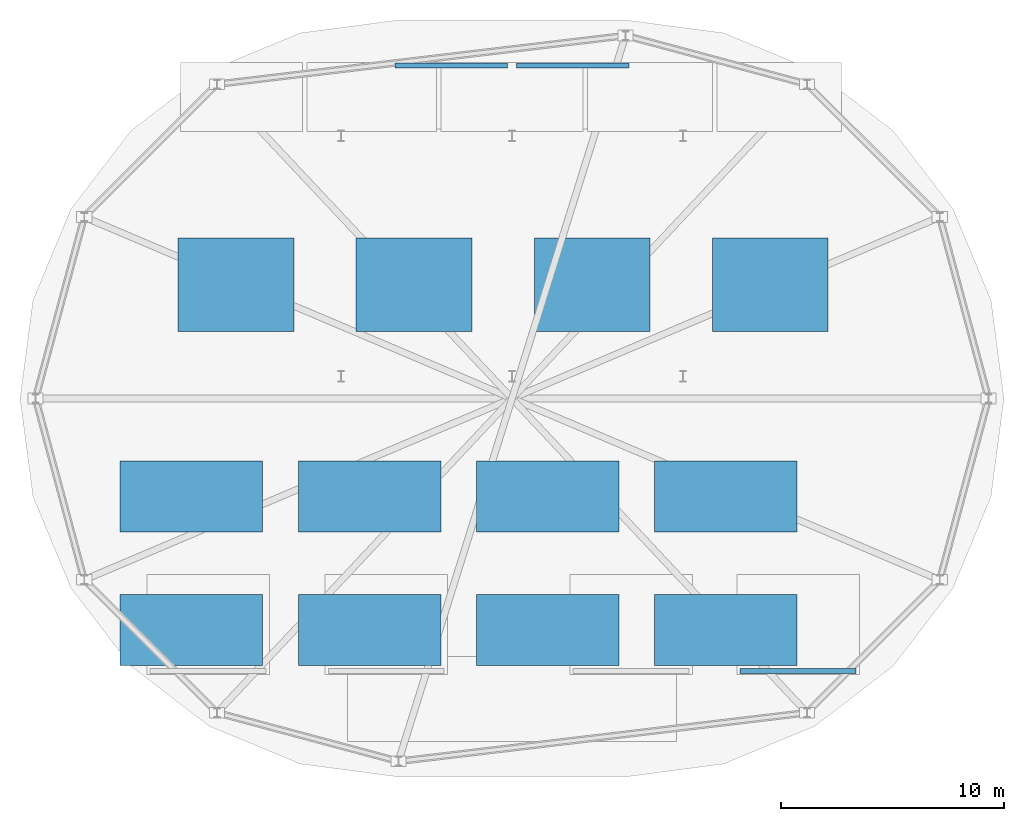
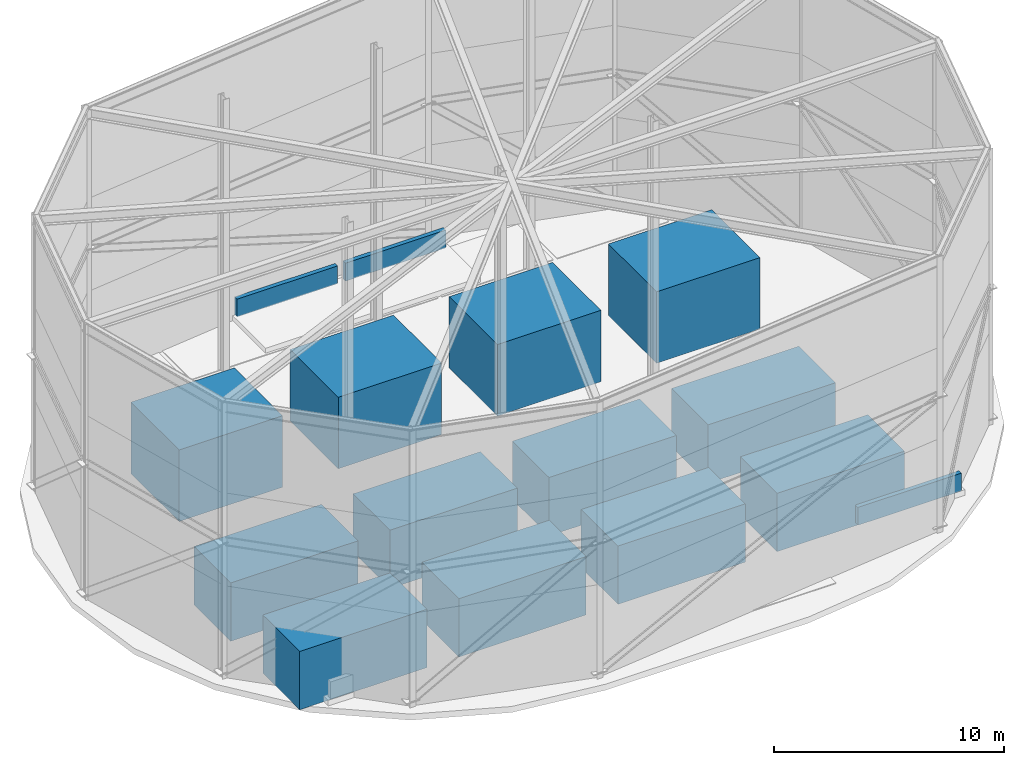
# One storey, part 4 of 5: 12 discrete accessories, 3 walls.
"""IFC4 building model written with IfcOpenShell, lengths in metres."""

from ifc_helpers import new_model, si_unit, direction, frame, frame_2d, origin, origin_2d, place, context, subcontext, project, spatial, rectangle, extrude, material, layer, layer_set, type_object, element, save


model = new_model("IFC4")

# Units and contexts
model_context = context("Model", 3, precision=1e-05, world=origin(), true_north=direction((0.0, 1.0)))
body_context = subcontext(model_context, "Body", "Model", "MODEL_VIEW")
ifc_project = project(units=[si_unit("LENGTHUNIT", "METRE"), si_unit("AREAUNIT", "SQUARE_METRE"), si_unit("VOLUMEUNIT", "CUBIC_METRE"), si_unit("PLANEANGLEUNIT", "RADIAN"), si_unit("MASSUNIT", "GRAM", prefix="KILO")], contexts=[model_context])

# Site, building, storey
site_placement = place(None, origin())
site = spatial("IfcSite", under=ifc_project, at=site_placement, CompositionType="ELEMENT")
building_placement = place(site_placement, origin())
building = spatial("IfcBuilding", under=site, at=building_placement, Name="Yelkora Congress Tower", CompositionType="ELEMENT")
storey_placement = place(building_placement, frame((0.0, 0.0, 310.0)))
storey = spatial("IfcBuildingStorey", under=building, at=storey_placement, Name="Roof", CompositionType="ELEMENT", Elevation=310.0)

# Walls
ifc_material_1 = material(Name="Concrete C40/50", Category="concrete")
ifc_layer_1 = layer(ifc_material_1, 0.219970703125)
ifc_layer_set_1 = layer_set([ifc_layer_1], Name="Concrete C40/50")
wall_type = type_object("IfcWallType", Name="WALL-PARAPET-220", PredefinedType="PARAPET", material=ifc_layer_set_1)
wall_1_placement = place(storey_placement, frame((48.64990234375, 22.14990234375, 0.25), z_axis=(0.0, 0.0, 1.0), x_axis=(1.0, 0.0, 0.0)))
element("IfcWall", 1, at=wall_1_placement, inside=storey, type_object=wall_type, Name="Crown Roof Acoustic Parapet 4", PredefinedType="PARAPET", context=body_context, shape_type="SweptSolid", body=[
    extrude(rectangle(XDim=5.2001953125, YDim=0.219970703125, at=frame_2d((2.60009765625, 0.0))), origin(), (0.0, 0.0, 1.0), 0.949951171875),
])
wall_2_placement = place(storey_placement, frame((33.14990234375, 49.35009765625, 0.25), z_axis=(0.0, 0.0, 1.0), x_axis=(1.0, 0.0, 0.0)))
element("IfcWall", 2, at=wall_2_placement, inside=storey, type_object=wall_type, Name="Crown Roof Acoustic Parapet 5", PredefinedType="PARAPET", context=body_context, shape_type="SweptSolid", body=[
    extrude(rectangle(XDim=5.050048828125, YDim=0.219970703125, at=frame_2d((2.52490234375, 0.0))), origin(), (0.0, 0.0, 1.0), 0.949951171875),
])
wall_3_placement = place(storey_placement, frame((38.60009765625, 49.35009765625, 0.25), z_axis=(0.0, 0.0, 1.0), x_axis=(1.0, 0.0, 0.0)))
element("IfcWall", 3, at=wall_3_placement, inside=storey, type_object=wall_type, Name="Crown Roof Acoustic Parapet 6", PredefinedType="PARAPET", context=body_context, shape_type="SweptSolid", body=[
    extrude(rectangle(XDim=5.0498046875, YDim=0.219970703125, at=frame_2d((2.52490234375, 0.0))), origin(), (0.0, 0.0, 1.0), 0.949951171875),
])

# Discrete accessories
ifc_material_2 = material(Name="Galvanised steel acoustic chiller housing", Category="steel")
ifc_layer_2 = layer(ifc_material_2, 3.10009765625)
ifc_layer_set_2 = layer_set([ifc_layer_2], Name="Galvanised steel acoustic chiller housing")
discrete_accessory_type_1 = type_object("IfcDiscreteAccessoryType", Name="ACC-ROOF-CHILLER", PredefinedType="USERDEFINED", material=ifc_layer_set_2)
for number, where, z_axis, x_axis, name in (
    (4, (24.0, 24.0, -0.02001953125), (0.0, 0.0, 1.0), (1.0, 0.0, 0.0), "Crown Heat-Recovery Chiller Unit 1"),
    (5, (32.0, 24.0, -0.02001953125), (0.0, 0.0, 1.0), (1.0, 0.0, 0.0), "Crown Heat-Recovery Chiller Unit 2"),
    (6, (40.0, 24.0, -0.02001953125), (0.0, 0.0, 1.0), (1.0, 0.0, 0.0), "Crown Heat-Recovery Chiller Unit 3"),
    (7, (48.0, 24.0, -0.02001953125), (0.0, 0.0, 1.0), (1.0, 0.0, 0.0), "Crown Heat-Recovery Chiller Unit 4"),
    (8, (24.0, 30.0, -0.02001953125), (0.0, 0.0, 1.0), (1.0, 0.0, 0.0), "Crown Heat-Recovery Chiller Unit 5"),
    (9, (32.0, 30.0, -0.02001953125), (0.0, 0.0, 1.0), (1.0, 0.0, 0.0), "Crown Heat-Recovery Chiller Unit 6"),
    (10, (40.0, 30.0, -0.02001953125), (0.0, 0.0, 1.0), (1.0, 0.0, 0.0), "Crown Heat-Recovery Chiller Unit 7"),
    (11, (48.0, 30.0, -0.02001953125), (0.0, 0.0, 1.0), (1.0, 0.0, 0.0), "Crown Heat-Recovery Chiller Unit 8"),
):
    element("IfcDiscreteAccessory", number, at=place(storey_placement, frame(where, z_axis=z_axis, x_axis=x_axis)), inside=storey, type_object=discrete_accessory_type_1, Name=name, ObjectType="ROOFTOP_PLANT", PredefinedType="USERDEFINED", context=body_context, shape_type="SweptSolid", body=[
        extrude(rectangle(XDim=6.39990234375, YDim=3.199951171875, at=origin_2d()), origin(), (0.0, 0.0, 1.0), 3.10009765625),
    ])
ifc_material_3 = material(Name="Stainless steel induced-draught cooling tower", Category="steel")
ifc_layer_3 = layer(ifc_material_3, 3.800048828125)
ifc_layer_set_3 = layer_set([ifc_layer_3], Name="Stainless steel induced-draught cooling tower")
discrete_accessory_type_2 = type_object("IfcDiscreteAccessoryType", Name="ACC-ROOF-CTOWER", PredefinedType="USERDEFINED", material=ifc_layer_set_3)
for number, where, z_axis, x_axis, name in (
    (12, (26.0, 39.5, -0.02001953125), (0.0, 0.0, 1.0), (1.0, 0.0, 0.0), "Crown Induced-Draught Cooling Tower 1"),
    (13, (34.0, 39.5, -0.02001953125), (0.0, 0.0, 1.0), (1.0, 0.0, 0.0), "Crown Induced-Draught Cooling Tower 2"),
    (14, (42.0, 39.5, -0.02001953125), (0.0, 0.0, 1.0), (1.0, 0.0, 0.0), "Crown Induced-Draught Cooling Tower 3"),
    (15, (50.0, 39.5, -0.02001953125), (0.0, 0.0, 1.0), (1.0, 0.0, 0.0), "Crown Induced-Draught Cooling Tower 4"),
):
    element("IfcDiscreteAccessory", number, at=place(storey_placement, frame(where, z_axis=z_axis, x_axis=x_axis)), inside=storey, type_object=discrete_accessory_type_2, Name=name, ObjectType="ROOFTOP_PLANT", PredefinedType="USERDEFINED", context=body_context, shape_type="SweptSolid", body=[
        extrude(rectangle(XDim=5.199951171875, YDim=4.199951171875, at=origin_2d()), origin(), (0.0, 0.0, 1.0), 3.800048828125),
    ])

save(model, "model.ifc")
